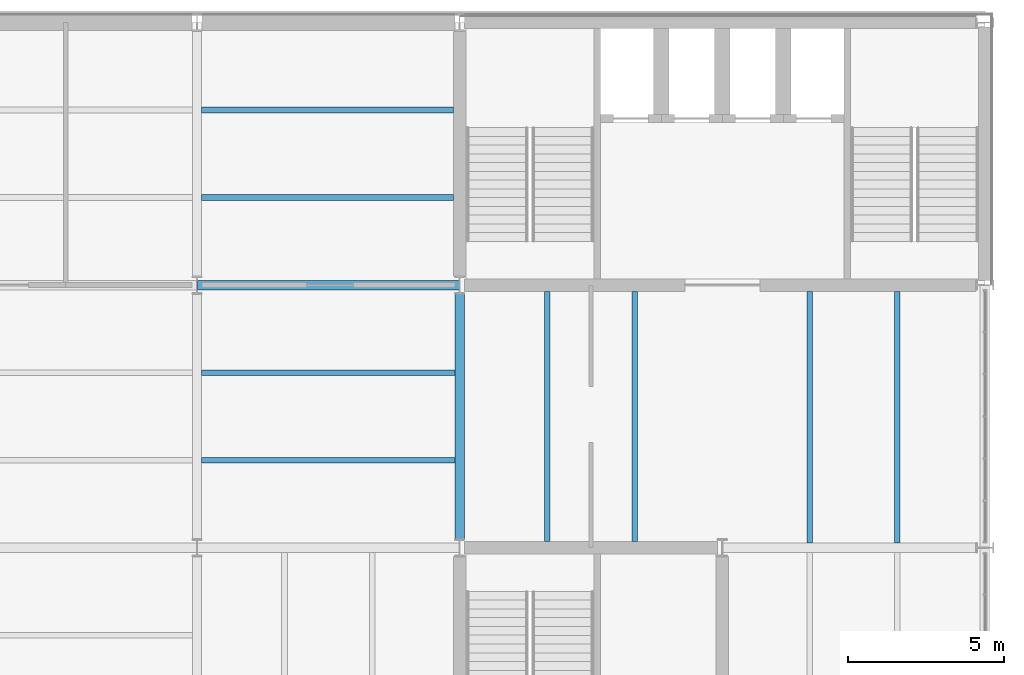
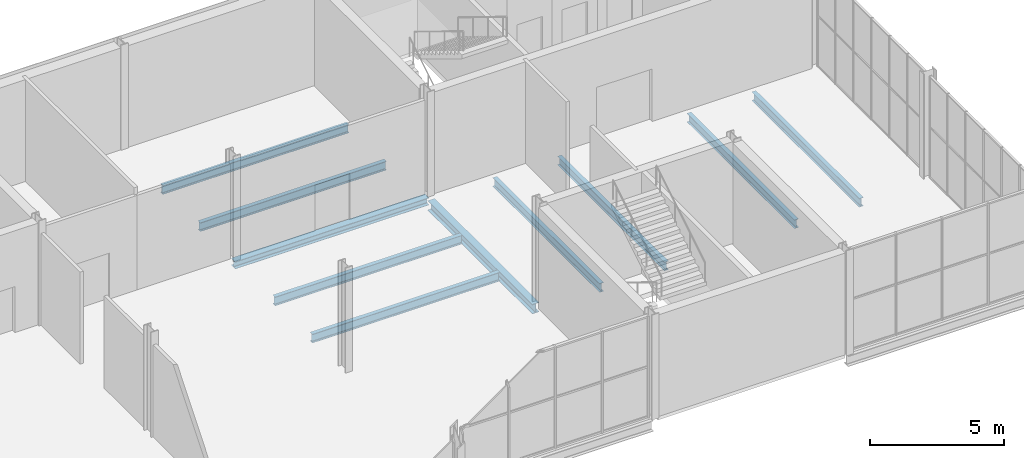
# One storey, part 29 of 61: 10 beams.
"""IFC4 building model written with IfcOpenShell, lengths in metres."""

from ifc_helpers import new_model, si_unit, direction, frame, origin, origin_2d, place, context, subcontext, project, spatial, i_section, extrude, material, material_profile, profile_set, type_object, element, save


model = new_model("IFC4")

# Units and contexts
model_context = context("Model", 3, precision=1e-05, world=origin(), true_north=direction((0.0, 1.0)))
body_context = subcontext(model_context, "Body", "Model", "MODEL_VIEW")
ifc_project = project(units=[si_unit("LENGTHUNIT", "METRE"), si_unit("AREAUNIT", "SQUARE_METRE"), si_unit("VOLUMEUNIT", "CUBIC_METRE"), si_unit("PLANEANGLEUNIT", "RADIAN"), si_unit("MASSUNIT", "GRAM", prefix="KILO")], contexts=[model_context])

# Site, building, storey
site_placement = place(None, origin())
site = spatial("IfcSite", under=ifc_project, at=site_placement, CompositionType="ELEMENT")
building_placement = place(site_placement, origin())
building = spatial("IfcBuilding", under=site, at=building_placement, Name="Galleria Vessillo Department Store", CompositionType="ELEMENT")
storey_placement = place(building_placement, frame((0.0, 0.0, 11.39990234375)))
storey = spatial("IfcBuildingStorey", under=building, at=storey_placement, Name="L02", CompositionType="ELEMENT", Elevation=11.39990234375)

# Beams
ifc_material_1 = material(Name="Steel S355 J2", Category="steel")
ifc_material_profile_1 = material_profile(ifc_material_1, i_section(OverallWidth=0.300048828125, OverallDepth=0.43994140625, WebThickness=0.011474609375, FlangeThickness=0.02099609375, FilletRadius=0.027099609375, at=origin_2d()), Name="HEA 450")
ifc_profile_set_1 = profile_set([ifc_material_profile_1], Name="Steel S355 J2")
beam_type_1 = type_object("IfcBeamType", Name="Floor girder HEA 450", PredefinedType="BEAM", material=ifc_profile_set_1)
beam_1_placement = place(storey_placement, frame((100.800048828125, 46.486083984375, -0.369873046875), z_axis=(0.0, 1.0, 0.0), x_axis=(-1.0, 0.0, 0.0)))
element("IfcBeam", 1, at=beam_1_placement, inside=storey, type_object=beam_type_1, Name="S-BM-L02-GI-y100800-46486", PredefinedType="BEAM", context=body_context, shape_type="SweptSolid", body=[
    extrude(i_section(OverallWidth=0.300048828125, OverallDepth=0.43994140625, WebThickness=0.011474609375, FlangeThickness=0.02099609375, FilletRadius=0.027099609375, at=origin_2d()), origin(), (0.0, 0.0, 1.0), 7.827880859375),
])
ifc_material_2 = material(Name="Steel S355 J2", Category="steel")
ifc_material_profile_2 = material_profile(ifc_material_2, i_section(OverallWidth=0.179931640625, OverallDepth=0.39990234375, WebThickness=0.008544921875, FlangeThickness=0.013427734375, FilletRadius=0.02099609375, at=origin_2d()), Name="IPE 400")
ifc_profile_set_2 = profile_set([ifc_material_profile_2], Name="Steel S355 J2")
beam_type_2 = type_object("IfcBeamType", Name="Floor joist IPE 400", PredefinedType="JOIST", material=ifc_profile_set_2)
for number, where, z_axis, x_axis, name in (
    (2, (92.550048828125, 49.0, -0.349853515625), (1.0, 0.0, 0.0), (0.0, 1.0, 0.0), "S-BM-L02-JO-x49000-92550"),
    (3, (92.550048828125, 51.800048828125, -0.349853515625), (1.0, 0.0, 0.0), (0.0, 1.0, 0.0), "S-BM-L02-JO-x51800-92550"),
):
    element("IfcBeam", number, at=place(storey_placement, frame(where, z_axis=z_axis, x_axis=x_axis)), inside=storey, type_object=beam_type_2, Name=name, PredefinedType="JOIST", context=body_context, shape_type="SweptSolid", body=[
        extrude(i_section(OverallWidth=0.179931640625, OverallDepth=0.39990234375, WebThickness=0.008544921875, FlangeThickness=0.013427734375, FilletRadius=0.02099609375, at=origin_2d()), origin(), (0.0, 0.0, 1.0), 8.099853515625),
    ])
for number, where, z_axis, x_axis, name in (
    (4, (92.550048828125, 57.39990234375, -0.349853515625), (1.0, 0.0, 0.0), (0.0, 1.0, 0.0), "S-BM-L02-JO-x57400-92550"),
    (5, (92.550048828125, 60.199951171875, -0.349853515625), (1.0, 0.0, 0.0), (0.0, 1.0, 0.0), "S-BM-L02-JO-x60200-92550"),
):
    element("IfcBeam", number, at=place(storey_placement, frame(where, z_axis=z_axis, x_axis=x_axis)), inside=storey, type_object=beam_type_2, Name=name, PredefinedType="JOIST", context=body_context, shape_type="SweptSolid", body=[
        extrude(i_section(OverallWidth=0.179931640625, OverallDepth=0.39990234375, WebThickness=0.008544921875, FlangeThickness=0.013427734375, FilletRadius=0.02099609375, at=origin_2d()), origin(), (0.0, 0.0, 1.0), 8.0498046875),
    ])
for number, where, z_axis, x_axis, name in (
    (6, (103.60009765625, 46.400146484375, -0.349853515625), (0.0, 1.0, 0.0), (-1.0, 0.0, 0.0), "S-BM-L02-JO-y103600-46400"),
    (7, (106.39990234375, 46.400146484375, -0.349853515625), (0.0, 1.0, 0.0), (-1.0, 0.0, 0.0), "S-BM-L02-JO-y106400-46400"),
):
    element("IfcBeam", number, at=place(storey_placement, frame(where, z_axis=z_axis, x_axis=x_axis)), inside=storey, type_object=beam_type_2, Name=name, PredefinedType="JOIST", context=body_context, shape_type="SweptSolid", body=[
        extrude(i_section(OverallWidth=0.179931640625, OverallDepth=0.39990234375, WebThickness=0.008544921875, FlangeThickness=0.013427734375, FilletRadius=0.02099609375, at=origin_2d()), origin(), (0.0, 0.0, 1.0), 7.999755859375),
    ])
for number, where, z_axis, x_axis, name in (
    (8, (112.0, 46.35009765625, -0.349853515625), (0.0, 1.0, 0.0), (-1.0, 0.0, 0.0), "S-BM-L02-JO-y112000-46350"),
    (9, (114.800048828125, 46.35009765625, -0.349853515625), (0.0, 1.0, 0.0), (-1.0, 0.0, 0.0), "S-BM-L02-JO-y114800-46350"),
):
    element("IfcBeam", number, at=place(storey_placement, frame(where, z_axis=z_axis, x_axis=x_axis)), inside=storey, type_object=beam_type_2, Name=name, PredefinedType="JOIST", context=body_context, shape_type="SweptSolid", body=[
        extrude(i_section(OverallWidth=0.179931640625, OverallDepth=0.39990234375, WebThickness=0.008544921875, FlangeThickness=0.013427734375, FilletRadius=0.02099609375, at=origin_2d()), origin(), (0.0, 0.0, 1.0), 8.0498046875),
    ])
ifc_material_3 = material(Name="Steel S355 J2", Category="steel")
ifc_material_profile_3 = material_profile(ifc_material_3, i_section(OverallWidth=0.300048828125, OverallDepth=0.330078125, WebThickness=0.009521484375, FlangeThickness=0.0166015625, FilletRadius=0.027099609375, at=origin_2d()), Name="HEA 340")
ifc_profile_set_3 = profile_set([ifc_material_profile_3], Name="Steel S355 J2")
beam_type_3 = type_object("IfcBeamType", Name="Floor tie girder HEA 340", PredefinedType="BEAM", material=ifc_profile_set_3)
beam_2_placement = place(storey_placement, frame((92.41064453125, 54.60009765625, -0.31494140625), z_axis=(1.0, 0.0, 0.0), x_axis=(0.0, 1.0, 0.0)))
element("IfcBeam", 10, at=beam_2_placement, inside=storey, type_object=beam_type_3, Name="S-BM-L02-TI-x54600-92411", PredefinedType="BEAM", context=body_context, shape_type="SweptSolid", body=[
    extrude(i_section(OverallWidth=0.300048828125, OverallDepth=0.330078125, WebThickness=0.009521484375, FlangeThickness=0.0166015625, FilletRadius=0.027099609375, at=origin_2d()), origin(), (0.0, 0.0, 1.0), 8.378662109375),
])

save(model, "model.ifc")
